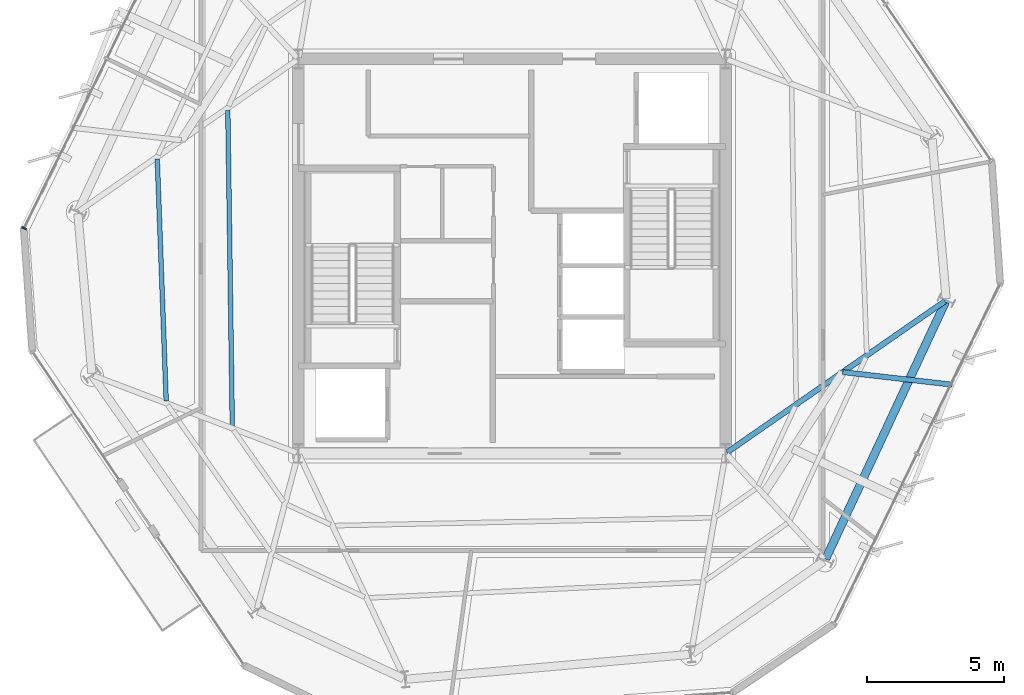
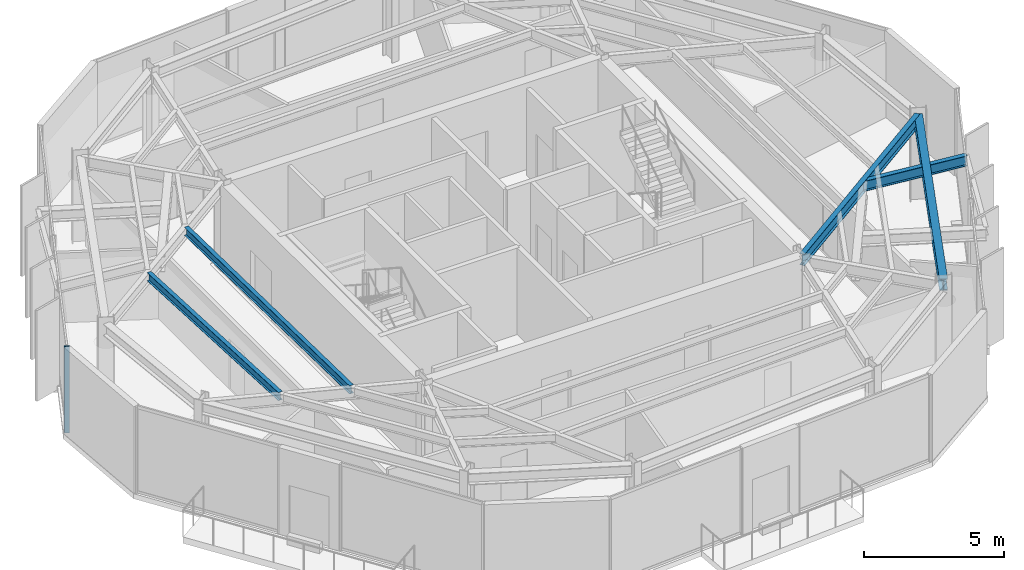
# One storey, part 3 of 13: 5 beams, 1 member, 1 element without a shape of its own.
"""IFC4 building model written with IfcOpenShell, lengths in metres."""

from ifc_helpers import new_model, si_unit, direction, frame, origin, origin_2d, place, context, subcontext, project, spatial, rectangle, i_section, extrude, material, layer, layer_set, material_profile, profile_set, type_object, element, aggregate, save


model = new_model("IFC4")

# Units and contexts
model_context = context("Model", 3, precision=1e-05, world=origin(), true_north=direction((0.0, 1.0)))
body_context = subcontext(model_context, "Body", "Model", "MODEL_VIEW")
ifc_project = project(units=[si_unit("LENGTHUNIT", "METRE"), si_unit("AREAUNIT", "SQUARE_METRE"), si_unit("VOLUMEUNIT", "CUBIC_METRE"), si_unit("PLANEANGLEUNIT", "RADIAN"), si_unit("MASSUNIT", "GRAM", prefix="KILO")], contexts=[model_context])

# Site, building, storey
site_placement = place(None, origin())
site = spatial("IfcSite", under=ifc_project, at=site_placement, CompositionType="ELEMENT")
building_placement = place(site_placement, origin())
building = spatial("IfcBuilding", under=site, at=building_placement, Name="Kranzbogen Civic Tower", CompositionType="ELEMENT")
storey_placement = place(building_placement, frame((0.0, 0.0, 282.199951171875)))
storey = spatial("IfcBuildingStorey", under=building, at=storey_placement, Name="L68", CompositionType="ELEMENT", Elevation=282.199951171875)

# Beam
ifc_material_1 = material(Name="Steel S355", Category="steel")
ifc_material_profile_1 = material_profile(ifc_material_1, i_section(OverallWidth=0.18994140625, OverallDepth=0.449951171875, WebThickness=0.009521484375, FlangeThickness=0.0146484375, at=origin_2d()), Name="IPE 450")
ifc_profile_set_1 = profile_set([ifc_material_profile_1], Name="Steel S355")
beam_type_1 = type_object("IfcBeamType", Name="Braced Terrace Edge Beam IPE 450", PredefinedType="BEAM", material=ifc_profile_set_1)
beam_1_placement = place(storey_placement, frame((37.075927734375, 20.76708984375, 3.525146484375), z_axis=(0.993479281596, -0.114012793312, 0.0), x_axis=(0.114012793312, 0.993479281596, 0.0)))
element("IfcBeam", 1, at=beam_1_placement, inside=storey, type_object=beam_type_1, Name="L69 back-spanned terrace beam L69-TB1-2", PredefinedType="BEAM", context=body_context, shape_type="SweptSolid", body=[
    extrude(i_section(OverallWidth=0.18994140625, OverallDepth=0.449951171875, WebThickness=0.009521484375, FlangeThickness=0.0146484375, at=origin_2d()), origin(), (0.0, 0.0, 1.0), 4.01708984375),
])

# Curtain wall, member
ifc_material_2 = material(Name="Pale Anodised Aluminium", Category="aluminium")
ifc_layer = layer(ifc_material_2, 0.219970703125, Name="Pale Anodised Aluminium")
ifc_layer_set = layer_set([ifc_layer], Name="Pale Anodised Aluminium")
curtain_wall_type = type_object("IfcCurtainWallType", Name="Zone 4 Stick Curtain Wall System CW-05", PredefinedType="USERDEFINED", material=ifc_layer_set)
curtain_wall_placement = place(storey_placement, origin())
curtain_wall = element("IfcCurtainWall", 2, at=curtain_wall_placement, inside=storey, type_object=curtain_wall_type, Name="L68 curtain wall CW-L68-F2", ObjectType="STICK CURTAIN WALL", PredefinedType="USERDEFINED")
ifc_material_profile_2 = material_profile(ifc_material_2, rectangle(XDim=0.06494140625, YDim=0.179931640625, at=origin_2d()), Name="ALU-M 65x180")
ifc_profile_set_2 = profile_set([ifc_material_profile_2], Name="Pale Anodised Aluminium")
member_type = type_object("IfcMemberType", Name="Curtain Wall Mullion ALU-M 65x180", PredefinedType="MULLION", material=ifc_profile_set_2)
member_placement = place(storey_placement, frame((7.190185546875, 26.01806640625, 0.0), z_axis=(0.0, 0.0, 1.0), x_axis=(-0.438292703672, -0.898832301327, 0.0)))
member = element("IfcMember", 3, at=member_placement, type_object=member_type, Name="CW-05 mullion 3", PredefinedType="MULLION", context=body_context, shape_type="SweptSolid", body=[
    extrude(rectangle(XDim=0.06494140625, YDim=0.179931640625, at=origin_2d()), origin(), (0.0, 0.0, 1.0), 3.780029296875),
])
aggregate(curtain_wall, [member])

# Beams
ifc_material_profile_3 = material_profile(ifc_material_1, i_section(OverallWidth=0.300048828125, OverallDepth=0.5, WebThickness=0.014404296875, FlangeThickness=0.028076171875, at=origin_2d()), Name="HEB 500")
ifc_profile_set_3 = profile_set([ifc_material_profile_3], Name="Steel S355")
beam_type_2 = type_object("IfcBeamType", Name="Perimeter Tube Spandrel Beam HEB 500", PredefinedType="SPANDREL", material=ifc_profile_set_3)
beam_2_placement = place(storey_placement, frame((36.449951171875, 13.944091796875, 3.530029296875), z_axis=(0.422668780888, 0.906284227857, 0.0), x_axis=(-0.906284227857, 0.422668780888, 0.0)))
element("IfcBeam", 4, at=beam_2_placement, inside=storey, type_object=beam_type_2, Name="L68 perimeter spandrel beam 05", PredefinedType="SPANDREL", context=body_context, shape_type="SweptSolid", body=[
    extrude(i_section(OverallWidth=0.300048828125, OverallDepth=0.5, WebThickness=0.014404296875, FlangeThickness=0.028076171875, at=origin_2d()), origin(), (0.0, 0.0, 1.0), 10.363037109375),
])
ifc_material_profile_4 = material_profile(ifc_material_1, i_section(OverallWidth=0.199951171875, OverallDepth=0.5, WebThickness=0.01025390625, FlangeThickness=0.01611328125, at=origin_2d()), Name="IPE 500")
ifc_profile_set_4 = profile_set([ifc_material_profile_4], Name="Steel S355")
beam_type_3 = type_object("IfcBeamType", Name="Radial Tower Floor Girder IPE 500", PredefinedType="BEAM", material=ifc_profile_set_4)
beam_3_placement = place(storey_placement, frame((40.805908203125, 23.35595703125, 3.530029296875), z_axis=(-0.821542812331, -0.570146829779, 0.0), x_axis=(0.570146829779, -0.821542812331, 0.0)))
element("IfcBeam", 5, at=beam_3_placement, inside=storey, type_object=beam_type_3, Name="L68 radial floor girder 06", PredefinedType="BEAM", context=body_context, shape_type="SweptSolid", body=[
    extrude(i_section(OverallWidth=0.199951171875, OverallDepth=0.5, WebThickness=0.01025390625, FlangeThickness=0.01611328125, at=origin_2d()), origin(), (0.0, 0.0, 1.0), 9.68505859375),
])
ifc_material_profile_5 = material_profile(ifc_material_1, i_section(OverallWidth=0.169921875, OverallDepth=0.360107421875, WebThickness=0.008056640625, FlangeThickness=0.0126953125, at=origin_2d()), Name="IPE 360")
ifc_profile_set_5 = profile_set([ifc_material_profile_5], Name="Steel S355")
beam_type_4 = type_object("IfcBeamType", Name="Secondary Composite Floor Joist IPE 360", PredefinedType="JOIST", material=ifc_profile_set_5)
beam_4_placement = place(storey_placement, frame((12.048095703125, 28.5419921875, 3.60009765625), z_axis=(0.036992246074, -0.999315552631, 0.0), x_axis=(0.999315552631, 0.036992246074, 0.0)))
element("IfcBeam", 6, at=beam_4_placement, inside=storey, type_object=beam_type_4, Name="L68 secondary floor joist 1.12", PredefinedType="JOIST", context=body_context, shape_type="SweptSolid", body=[
    extrude(i_section(OverallWidth=0.169921875, OverallDepth=0.360107421875, WebThickness=0.008056640625, FlangeThickness=0.0126953125, at=origin_2d()), origin(), (0.0, 0.0, 1.0), 8.837158203125),
])
beam_5_placement = place(storey_placement, frame((14.6240234375, 30.3310546875, 3.60009765625), z_axis=(0.014221385906, -0.999898870978, 0.0), x_axis=(0.999898870978, 0.014221385906, 0.0)))
element("IfcBeam", 7, at=beam_5_placement, inside=storey, type_object=beam_type_4, Name="L68 secondary floor joist 2.12", PredefinedType="JOIST", context=body_context, shape_type="SweptSolid", body=[
    extrude(i_section(OverallWidth=0.169921875, OverallDepth=0.360107421875, WebThickness=0.008056640625, FlangeThickness=0.0126953125, at=origin_2d()), origin(), (0.0, 0.0, 1.0), 11.536376953125),
])

save(model, "model.ifc")
